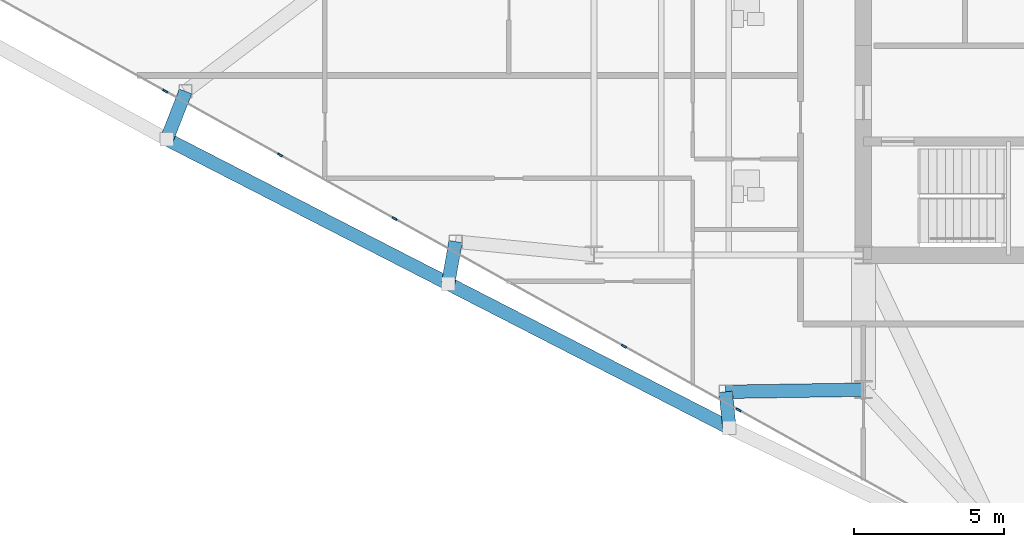
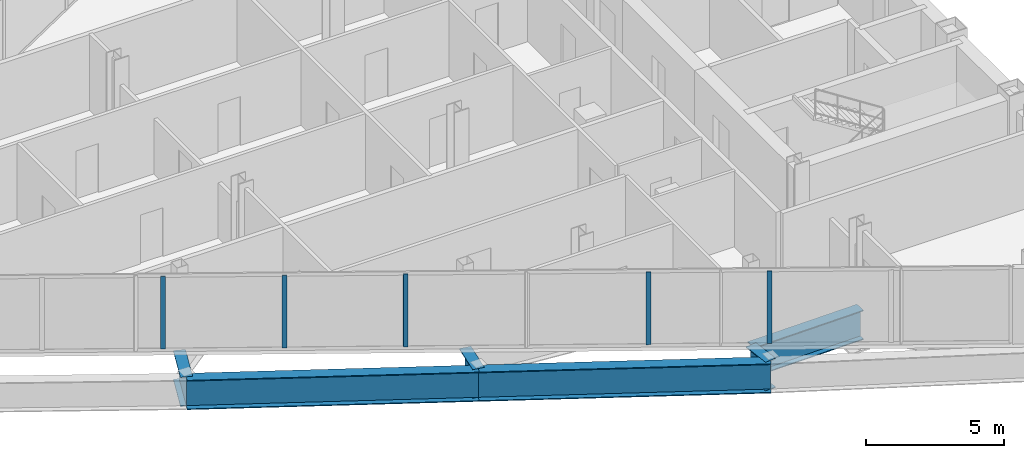
# One storey, part 3 of 28: 6 beams, 5 members, 1 element without a shape of its own.
"""IFC4 building model written with IfcOpenShell, lengths in metres."""

from ifc_helpers import new_model, si_unit, direction, frame, origin, origin_2d, place, context, subcontext, project, spatial, rectangle, i_section, extrude, source, transform, mapped, material, layer, layer_set, material_profile, profile_set, type_object, type_shapes, element, aggregate, save


model = new_model("IFC4")

# Units and contexts
model_context = context("Model", 3, precision=1e-05, world=origin(), true_north=direction((0.0, 1.0)))
body_context = subcontext(model_context, "Body", "Model", "MODEL_VIEW")
ifc_project = project(units=[si_unit("LENGTHUNIT", "METRE"), si_unit("AREAUNIT", "SQUARE_METRE"), si_unit("VOLUMEUNIT", "CUBIC_METRE"), si_unit("PLANEANGLEUNIT", "RADIAN"), si_unit("MASSUNIT", "GRAM", prefix="KILO")], contexts=[model_context])

# Site, building, storey
site_placement = place(None, origin())
site = spatial("IfcSite", under=ifc_project, at=site_placement, CompositionType="ELEMENT")
building_placement = place(site_placement, origin())
building = spatial("IfcBuilding", under=site, at=building_placement, Name="Seokmaru Belvedere", CompositionType="ELEMENT")
storey_placement = place(building_placement, frame((0.0, 0.0, 158.39990234375)))
storey = spatial("IfcBuildingStorey", under=building, at=storey_placement, Name="L42", CompositionType="ELEMENT", Elevation=158.39990234375)

# Beams
ifc_material_1 = material(Name="Steel HSA650 (650 MPa)", Category="steel")
ifc_material_profile_1 = material_profile(ifc_material_1, i_section(OverallWidth=0.449951171875, OverallDepth=1.300048828125, WebThickness=0.02197265625, FlangeThickness=0.0380859375, at=origin_2d()), Name="BH-1300x450x22x38")
ifc_profile_set_1 = profile_set([ifc_material_profile_1], Name="Steel HSA650 (650 MPa)")
beam_type = type_object("IfcBeamType", Name="Observatory Long-Span Roof Girder BH-1300", PredefinedType="BEAM", material=ifc_profile_set_1)
shared_shape_1 = source(origin(), body_context, "Body", "SweptSolid", [
    extrude(i_section(OverallWidth=0.449951171875, OverallDepth=1.300048828125, WebThickness=0.02197265625, FlangeThickness=0.0380859375, at=origin_2d()), origin(), (0.0, 0.0, 1.0), 10.56689453125),
])
for number, where, z_axis, x_axis, name in (
    (1, (-40.975830078125, -19.277587890625, -0.869873046875), (-0.889701972758, 0.45654178305, 0.0), (-0.45654178305, -0.889701972758, 0.0), "L42 W Faceted Flank Spandrel S-2"),
    (2, (-50.377197265625, -14.453369140625, -0.869873046875), (-0.889692588006, 0.456560071455, 0.0), (-0.456560071455, -0.889692588006, 0.0), "L42 W Faceted Flank Spandrel S-3"),
):
    element("IfcBeam", number, at=place(storey_placement, frame(where, z_axis=z_axis, x_axis=x_axis)), inside=storey, type_object=beam_type, Name=name, PredefinedType="BEAM", context=body_context, shape_type="MappedRepresentation", body=[
        mapped(shared_shape_1, transform((0.0, 0.0, 0.0), scale=1.0)),
    ])
shared_shape_2 = source(origin(), body_context, "Body", "SweptSolid", [
    extrude(i_section(OverallWidth=0.449951171875, OverallDepth=1.300048828125, WebThickness=0.02197265625, FlangeThickness=0.0380859375, at=origin_2d()), origin(), (0.0, 0.0, 1.0), 1.213623046875),
])
beam_1_placement = place(storey_placement, frame((-40.975830078125, -19.277587890625, -0.869873046875), z_axis=(-0.105417819447, 0.994428018181, 0.0), x_axis=(-0.994428018181, -0.105417819447, 0.0)))
element("IfcBeam", 3, at=beam_1_placement, inside=storey, type_object=beam_type, Name="L42 W Flank Setback Step Girder S-1", PredefinedType="BEAM", context=body_context, shape_type="MappedRepresentation", body=[
    mapped(shared_shape_2, transform((0.0, 0.0, 0.0), scale=1.0)),
])
shared_shape_3 = source(origin(), body_context, "Body", "SweptSolid", [
    extrude(i_section(OverallWidth=0.449951171875, OverallDepth=1.300048828125, WebThickness=0.02197265625, FlangeThickness=0.0380859375, at=origin_2d()), origin(), (0.0, 0.0, 1.0), 4.604248046875),
])
beam_2_placement = place(storey_placement, frame((-41.103759765625, -18.07080078125, -0.869873046875), z_axis=(0.999881765622, 0.01537708607, 0.0), x_axis=(-0.01537708607, 0.999881765622, 0.0)))
element("IfcBeam", 4, at=beam_2_placement, inside=storey, type_object=beam_type, Name="L42 W Flank Setback Back-Span Girder S-1", PredefinedType="BEAM", context=body_context, shape_type="MappedRepresentation", body=[
    mapped(shared_shape_3, transform((0.0, 0.0, 0.0), scale=1.0)),
])
shared_shape_4 = source(origin(), body_context, "Body", "SweptSolid", [
    extrude(i_section(OverallWidth=0.449951171875, OverallDepth=1.300048828125, WebThickness=0.02197265625, FlangeThickness=0.0380859375, at=origin_2d()), origin(), (0.0, 0.0, 1.0), 1.424072265625),
])
beam_3_placement = place(storey_placement, frame((-50.377197265625, -14.453369140625, -0.869873046875), z_axis=(0.174176510903, 0.984714447467, 0.0), x_axis=(-0.984714447467, 0.174176510903, 0.0)))
element("IfcBeam", 5, at=beam_3_placement, inside=storey, type_object=beam_type, Name="L42 W Flank Setback Step Girder S-2", PredefinedType="BEAM", context=body_context, shape_type="MappedRepresentation", body=[
    mapped(shared_shape_4, transform((0.0, 0.0, 0.0), scale=1.0)),
])
shared_shape_5 = source(origin(), body_context, "Body", "SweptSolid", [
    extrude(i_section(OverallWidth=0.449951171875, OverallDepth=1.300048828125, WebThickness=0.02197265625, FlangeThickness=0.0380859375, at=origin_2d()), origin(), (0.0, 0.0, 1.0), 1.715087890625),
])
type_shapes(beam_type, [shared_shape_1, shared_shape_2, shared_shape_3, shared_shape_4, shared_shape_5])
beam_4_placement = place(storey_placement, frame((-59.778564453125, -9.62890625, -0.869873046875), z_axis=(0.36386789594, 0.931450564606, 0.0), x_axis=(-0.931450564606, 0.36386789594, 0.0)))
element("IfcBeam", 6, at=beam_4_placement, inside=storey, type_object=beam_type, Name="L42 W Flank Setback Step Girder S-3", PredefinedType="BEAM", context=body_context, shape_type="MappedRepresentation", body=[
    mapped(shared_shape_5, transform((0.0, 0.0, 0.0), scale=1.0)),
])

# Curtain wall, members
ifc_material_2 = material(Name="Bronze Triple Insulating Glass", Category="glass")
ifc_layer = layer(ifc_material_2, 0.179931640625)
ifc_layer_set = layer_set([ifc_layer], Name="Bronze Triple Insulating Glass")
curtain_wall_type = type_object("IfcCurtainWallType", Name="High-Rise Wind-Corner Curtain Wall System CW-5", PredefinedType="NOTDEFINED", material=ifc_layer_set)
curtain_wall_placement = place(storey_placement, origin())
curtain_wall = element("IfcCurtainWall", 7, at=curtain_wall_placement, inside=storey, type_object=curtain_wall_type, Name="L42 Curtain Wall WF5", PredefinedType="NOTDEFINED")
ifc_material_3 = material(Name="Anodised Bronze Aluminium", Category="aluminium")
ifc_material_profile_2 = material_profile(ifc_material_3, rectangle(XDim=0.06494140625, YDim=0.179931640625, at=origin_2d()), Name="CW-M-65x180")
ifc_profile_set_2 = profile_set([ifc_material_profile_2], Name="Anodised Bronze Aluminium")
member_type = type_object("IfcMemberType", Name="Bronze Unitised Mullion 65x180", PredefinedType="MULLION", material=ifc_profile_set_2)
shared_shape_6 = source(origin(), body_context, "Body", "SweptSolid", [
    extrude(rectangle(XDim=0.06494140625, YDim=0.179931640625, at=origin_2d()), origin(), (0.0, 0.0, 1.0), 3.2099609375),
])
type_shapes(member_type, [shared_shape_6])
member_1_placement = place(storey_placement, frame((-59.83056640625, -8.021728515625, 0.065185546875), z_axis=(0.0, 0.0, 1.0), x_axis=(0.486047125147, 0.873932601598, 0.0)))
member_1 = element("IfcMember", 8, at=member_1_placement, type_object=member_type, Name="CW:L42:WF5 Mullion 3", PredefinedType="MULLION", context=body_context, shape_type="MappedRepresentation", body=[
    mapped(shared_shape_6, transform((0.0, 0.0, 0.0), scale=1.0)),
])
member_2_placement = place(storey_placement, frame((-55.998291015625, -10.153076171875, 0.065185546875), z_axis=(0.0, 0.0, 1.0), x_axis=(0.486047125147, 0.873932601598, 0.0)))
member_2 = element("IfcMember", 9, at=member_2_placement, type_object=member_type, Name="CW:L42:WF5 Mullion 4", PredefinedType="MULLION", context=body_context, shape_type="MappedRepresentation", body=[
    mapped(shared_shape_6, transform((0.0, 0.0, 0.0), scale=1.0)),
])
member_3_placement = place(storey_placement, frame((-52.166015625, -12.2841796875, 0.065185546875), z_axis=(0.0, 0.0, 1.0), x_axis=(0.486047125147, 0.873932601598, 0.0)))
member_3 = element("IfcMember", 10, at=member_3_placement, type_object=member_type, Name="CW:L42:WF5 Mullion 5", PredefinedType="MULLION", context=body_context, shape_type="MappedRepresentation", body=[
    mapped(shared_shape_6, transform((0.0, 0.0, 0.0), scale=1.0)),
])
member_4_placement = place(storey_placement, frame((-44.501708984375, -16.547119140625, 0.065185546875), z_axis=(0.0, 0.0, 1.0), x_axis=(0.486047125147, 0.873932601598, 0.0)))
member_4 = element("IfcMember", 11, at=member_4_placement, type_object=member_type, Name="CW:L42:WF5 Mullion 7", PredefinedType="MULLION", context=body_context, shape_type="MappedRepresentation", body=[
    mapped(shared_shape_6, transform((0.0, 0.0, 0.0), scale=1.0)),
])
member_5_placement = place(storey_placement, frame((-40.66943359375, -18.67822265625, 0.065185546875), z_axis=(0.0, 0.0, 1.0), x_axis=(0.486047125147, 0.873932601598, 0.0)))
member_5 = element("IfcMember", 12, at=member_5_placement, type_object=member_type, Name="CW:L42:WF5 Mullion 8", PredefinedType="MULLION", context=body_context, shape_type="MappedRepresentation", body=[
    mapped(shared_shape_6, transform((0.0, 0.0, 0.0), scale=1.0)),
])
aggregate(curtain_wall, [member_1, member_2, member_3, member_4, member_5])

save(model, "model.ifc")
